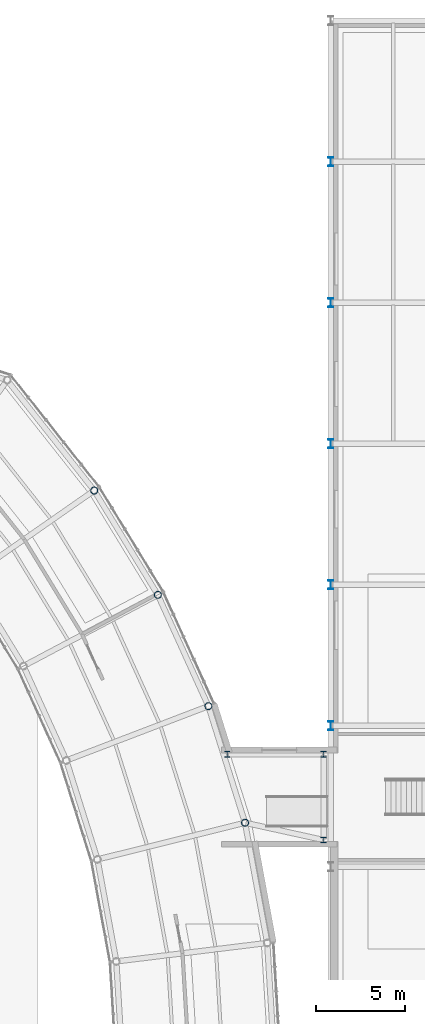
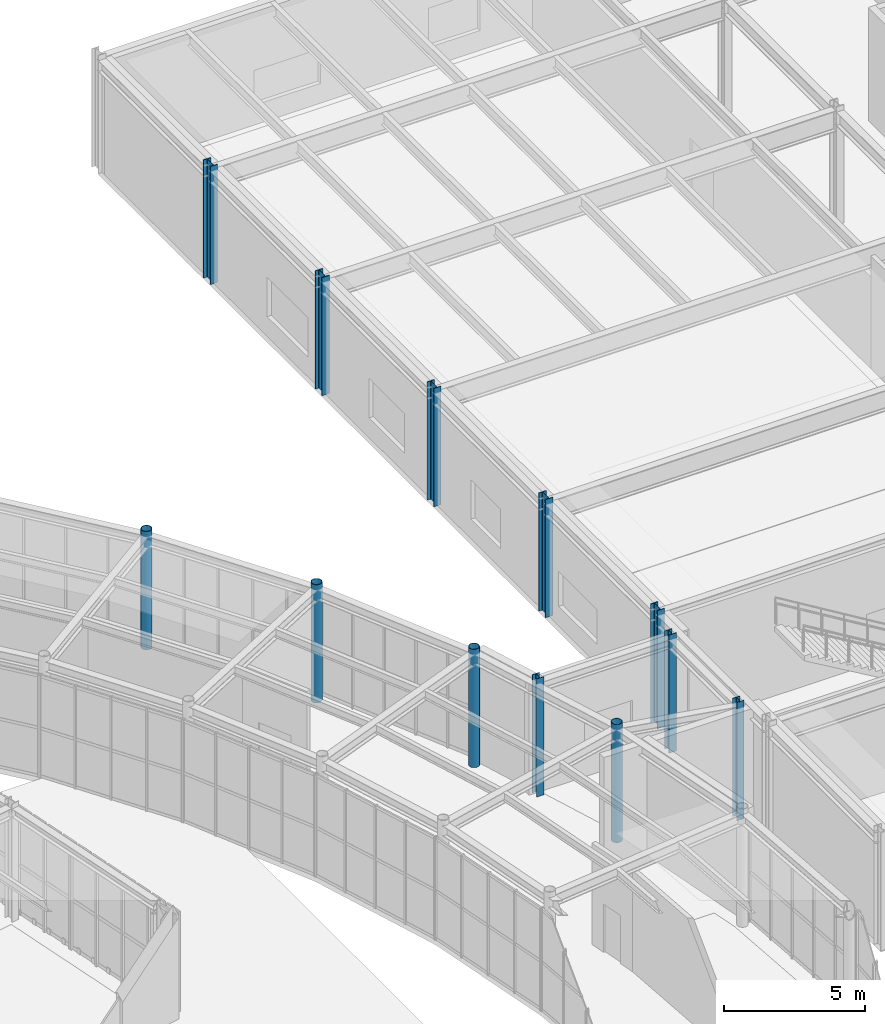
# One storey, part 13 of 97: 12 columns.
"""IFC4 building model written with IfcOpenShell, lengths in metres."""

from ifc_helpers import new_model, si_unit, direction, frame, origin, origin_2d, place, context, subcontext, project, spatial, hollow_circle, i_section, extrude, material, material_profile, profile_set, type_object, element, save


model = new_model("IFC4")

# Units and contexts
model_context = context("Model", 3, precision=1e-05, world=origin(), true_north=direction((0.0, 1.0)))
body_context = subcontext(model_context, "Body", "Model", "MODEL_VIEW")
ifc_project = project(units=[si_unit("LENGTHUNIT", "METRE"), si_unit("AREAUNIT", "SQUARE_METRE"), si_unit("VOLUMEUNIT", "CUBIC_METRE"), si_unit("PLANEANGLEUNIT", "RADIAN"), si_unit("MASSUNIT", "GRAM", prefix="KILO")], contexts=[model_context])

# Site, building, storey
site_placement = place(None, origin())
site = spatial("IfcSite", under=ifc_project, at=site_placement, CompositionType="ELEMENT")
building_placement = place(site_placement, origin())
building = spatial("IfcBuilding", under=site, at=building_placement, Name="Varnklinge Art Gallery", CompositionType="ELEMENT")
storey_placement = place(building_placement, origin())
storey = spatial("IfcBuildingStorey", under=building, at=storey_placement, Name="L00", CompositionType="ELEMENT", Elevation=0.0)

# Columns
ifc_material_1 = material(Name="Steel S355", Category="steel")
ifc_material_profile_1 = material_profile(ifc_material_1, i_section(OverallWidth=0.300048828125, OverallDepth=0.320068359375, WebThickness=0.011474609375, FlangeThickness=0.0205078125, FilletRadius=0.027099609375, at=origin_2d()), Name="HEB 320")
ifc_profile_set_1 = profile_set([ifc_material_profile_1], Name="Steel S355")
column_type_1 = type_object("IfcColumnType", Name="COL-09", PredefinedType="COLUMN", material=ifc_profile_set_1)
for number, where, z_axis, x_axis, name in (
    (1, (114.0, 67.60009765625, 0.0), (0.0, 0.0, 1.0), (1.0, 0.0, 0.0), "L00 Column LNK-V1-C2"),
    (2, (114.0, 72.39990234375, 0.0), (0.0, 0.0, 1.0), (1.0, 0.0, 0.0), "L00 Column LNK-V1-C3"),
    (3, (108.60009765625, 72.39990234375, 0.0), (0.0, 0.0, 1.0), (1.0, 0.0, 0.0), "L00 Column LNK-V1-C4"),
):
    element("IfcColumn", number, at=place(storey_placement, frame(where, z_axis=z_axis, x_axis=x_axis)), inside=storey, type_object=column_type_1, Name=name, PredefinedType="COLUMN", context=body_context, shape_type="SweptSolid", body=[
        extrude(i_section(OverallWidth=0.300048828125, OverallDepth=0.320068359375, WebThickness=0.011474609375, FlangeThickness=0.0205078125, FilletRadius=0.027099609375, at=origin_2d()), origin(), (0.0, 0.0, 1.0), 5.10009765625),
    ])
ifc_material_2 = material(Name="Steel S355", Category="steel")
ifc_material_profile_2 = material_profile(ifc_material_2, i_section(OverallWidth=0.300048828125, OverallDepth=0.5, WebThickness=0.014404296875, FlangeThickness=0.028076171875, FilletRadius=0.027099609375, at=origin_2d()), Name="HEB 500")
ifc_profile_set_2 = profile_set([ifc_material_profile_2], Name="Steel S355")
column_type_2 = type_object("IfcColumnType", Name="COL-E1", PredefinedType="COLUMN", material=ifc_profile_set_2)
for number, where, z_axis, x_axis, name in (
    (4, (114.39990234375, 74.0, 0.0), (0.0, 0.0, 1.0), (1.0, 0.0, 0.0), "L00 Column V1C-1-3"),
    (5, (114.39990234375, 81.89990234375, 0.0), (0.0, 0.0, 1.0), (1.0, 0.0, 0.0), "L00 Column V1C-1-4"),
    (6, (114.39990234375, 89.800048828125, 0.0), (0.0, 0.0, 1.0), (1.0, 0.0, 0.0), "L00 Column V1C-1-5"),
    (7, (114.39990234375, 97.699951171875, 0.0), (0.0, 0.0, 1.0), (1.0, 0.0, 0.0), "L00 Column V1C-1-6"),
    (8, (114.39990234375, 105.60009765625, 0.0), (0.0, 0.0, 1.0), (1.0, 0.0, 0.0), "L00 Column V1C-1-7"),
):
    element("IfcColumn", number, at=place(storey_placement, frame(where, z_axis=z_axis, x_axis=x_axis)), inside=storey, type_object=column_type_2, Name=name, PredefinedType="COLUMN", context=body_context, shape_type="SweptSolid", body=[
        extrude(i_section(OverallWidth=0.300048828125, OverallDepth=0.5, WebThickness=0.014404296875, FlangeThickness=0.028076171875, FilletRadius=0.027099609375, at=origin_2d()), origin(), (0.0, 0.0, 1.0), 5.10009765625),
    ])
ifc_material_3 = material(Name="Steel S355", Category="steel")
ifc_material_profile_3 = material_profile(ifc_material_3, hollow_circle(Radius=0.203125, WallThickness=0.02001953125, at=origin_2d()), Name="CHS 406.4x20")
ifc_profile_set_3 = profile_set([ifc_material_profile_3], Name="Steel S355")
column_type_3 = type_object("IfcColumnType", Name="COL-E5", PredefinedType="COLUMN", material=ifc_profile_set_3)
for number, where, z_axis, x_axis, name in (
    (9, (109.598388671875, 68.56591796875, 0.0), (0.0, 0.0, 1.0), (-0.970506473469, -0.241075060833, 0.0), "L00 Column V2CO-09"),
    (10, (107.54638671875, 75.09716796875, 0.0), (0.0, 0.0, 1.0), (-0.934017558691, -0.357227098715, 0.0), "L00 Column V2CO-10"),
    (11, (104.71630859375, 81.3310546875, 0.0), (0.0, 0.0, 1.0), (-0.883683947469, -0.468084053333, 0.0), "L00 Column V2CO-11"),
    (12, (101.14990234375, 87.1748046875, 0.0), (0.0, 0.0, 1.0), (-0.820351542489, -0.571859551582, 0.0), "L00 Column V2CO-12"),
):
    element("IfcColumn", number, at=place(storey_placement, frame(where, z_axis=z_axis, x_axis=x_axis)), inside=storey, type_object=column_type_3, Name=name, PredefinedType="COLUMN", context=body_context, shape_type="SweptSolid", body=[
        extrude(hollow_circle(Radius=0.203125, WallThickness=0.02001953125, at=origin_2d()), origin(), (0.0, 0.0, 1.0), 5.10009765625),
    ])

save(model, "model.ifc")
